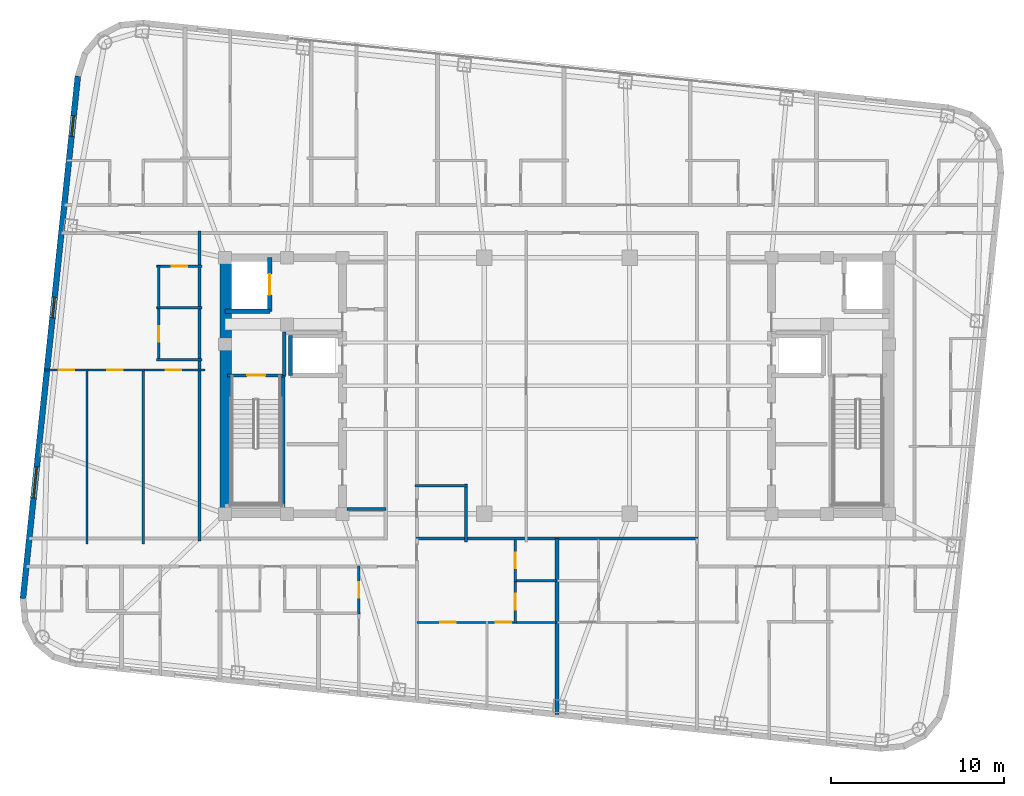
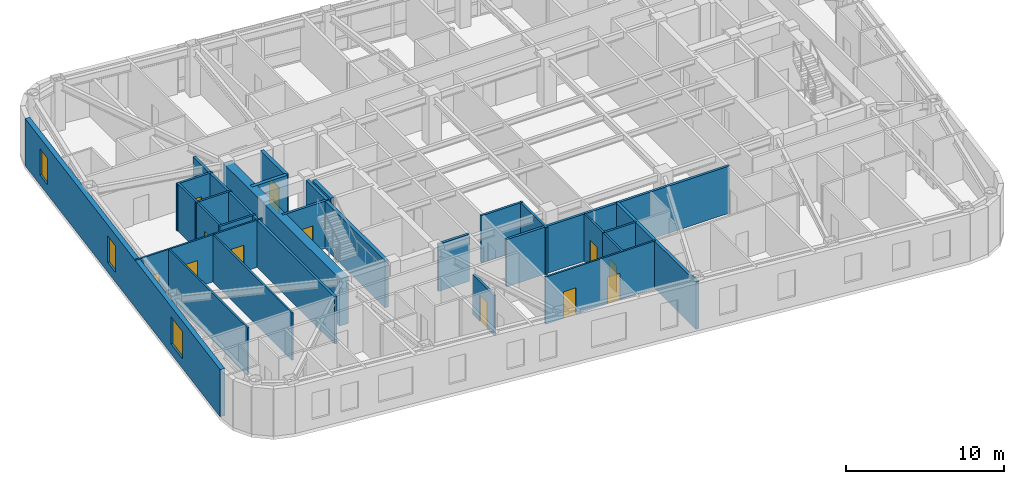
# One storey, part 9 of 15: 29 walls, 12 doors, 3 windows, 15 openings.
"""IFC4 building model written with IfcOpenShell, lengths in metres."""

from ifc_helpers import new_model, si_unit, direction, frame, frame_2d, origin, place, context, subcontext, project, spatial, rectangle, extrude, material, layer, layer_set, type_object, element, fill, save


model = new_model("IFC4")

# Units and contexts
model_context = context("Model", 3, precision=1e-05, world=origin(), true_north=direction((0.0, 1.0)))
body_context = subcontext(model_context, "Body", "Model", "MODEL_VIEW")
ifc_project = project(units=[si_unit("LENGTHUNIT", "METRE"), si_unit("AREAUNIT", "SQUARE_METRE"), si_unit("VOLUMEUNIT", "CUBIC_METRE"), si_unit("PLANEANGLEUNIT", "RADIAN"), si_unit("MASSUNIT", "GRAM", prefix="KILO")], contexts=[model_context])

# Site, building, storey
site_placement = place(None, origin())
site = spatial("IfcSite", under=ifc_project, at=site_placement, CompositionType="ELEMENT")
building_placement = place(site_placement, origin())
building = spatial("IfcBuilding", under=site, at=building_placement, Name="Voryun Gate Residences", CompositionType="ELEMENT")
storey_placement = place(building_placement, frame((0.0, 0.0, 263.89990234375)))
storey = spatial("IfcBuildingStorey", under=building, at=storey_placement, Name="L65", CompositionType="ELEMENT", Elevation=263.89990234375)

# Wall
ifc_material_1 = material(Name="Concrete C60/75", Category="concrete")
ifc_layer_1 = layer(ifc_material_1, 0.64990234375, Name="CW_CORE_650")
ifc_layer_set_1 = layer_set([ifc_layer_1], Name="Concrete C60/75")
wall_type_1 = type_object("IfcWallType", Name="CW_CORE_650", PredefinedType="SHEAR", material=ifc_layer_set_1)
wall_1_placement = place(storey_placement, frame((-19.14501953125, -7.39990234375, 0.0), z_axis=(0.0, 0.0, 1.0), x_axis=(0.0, 1.0, 0.0)))
element("IfcWall", 1, at=wall_1_placement, inside=storey, type_object=wall_type_1, Name="L65 Core shear wall CW-L65-WW", PredefinedType="SHEAR", context=body_context, shape_type="SweptSolid", body=[
    extrude(rectangle(XDim=14.7998046875, YDim=0.64990234375, at=frame_2d((7.39990234375, 0.0))), origin(), (0.0, 0.0, 1.0), 3.650146484375),
])

# Wall, opening, door
ifc_material_2 = material(Name="Gypsum acoustic fireboard")
ifc_layer_2 = layer(ifc_material_2, 0.179931640625, Name="W_CORR_RATED_180")
ifc_layer_set_2 = layer_set([ifc_layer_2], Name="Gypsum acoustic fireboard")
wall_type_2 = type_object("IfcWallType", Name="W_CORR_RATED_180", PredefinedType="PARTITIONING", material=ifc_layer_set_2)
wall_2_placement = place(storey_placement, frame((-19.06005859375, 0.60009765625, 0.0), z_axis=(0.0, 0.0, 1.0), x_axis=(1.0, 0.0, 0.0)))
wall_2 = element("IfcWall", 2, at=wall_2_placement, inside=storey, type_object=wall_type_2, Name="Partition wall WP-L65-STV-W", PredefinedType="PARTITIONING", context=body_context, shape_type="SweptSolid", body=[
    extrude(rectangle(XDim=3.360107421875, YDim=0.179931640625, at=frame_2d((1.68017578125, 0.0))), origin(), (0.0, 0.0, 1.0), 3.650146484375),
])
opening_1_placement = place(wall_2_placement, frame((1.155029296875, 0.0, 0.0)))
opening_1 = element("IfcOpeningElement", 3, at=opening_1_placement, cuts=wall_2, Name="Opening D-FD60-1", PredefinedType="OPENING", context=body_context, shape_type="SweptSolid", body=[
    extrude(rectangle(XDim=1.050048828125, YDim=2.050048828125, at=frame_2d((0.52490234375, 1.02490234375))), frame((0.0, 0.099853515625, 0.0), z_axis=(0.0, -1.0, 0.0), x_axis=(1.0, 0.0, 0.0)), (0.0, 0.0, 1.0), 0.199951171875),
])
ifc_material_3 = material(Name="Painted steel fire door", Category="steel")
door_type_1 = type_object("IfcDoorType", Name="DR_FD60_STAIR_1050", OperationType="NOTDEFINED", PredefinedType="DOOR", material=ifc_material_3)
door_1_placement = place(opening_1_placement, origin())
door_1 = element("IfcDoor", 4, at=door_1_placement, inside=storey, type_object=door_type_1, Name="Door DR-L65-ST-W", OperationType="SINGLE_SWING_LEFT", OverallHeight=2.050048828125, OverallWidth=1.050048828125, PredefinedType="DOOR", context=body_context, shape_type="SweptSolid", body=[
    extrude(rectangle(XDim=1.050048828125, YDim=2.050048828125, at=frame_2d((0.52490234375, 1.02490234375))), frame((0.0, 0.02490234375, 0.0), z_axis=(0.0, -1.0, 0.0), x_axis=(1.0, 0.0, 0.0)), (0.0, 0.0, 1.0), 0.050048828125),
])
fill(opening_1, door_1)

# Walls
wall_3_placement = place(storey_placement, frame((-12.14990234375, -7.1201171875, 0.0), z_axis=(0.0, 0.0, 1.0), x_axis=(1.0, 0.0, 0.0)))
element("IfcWall", 5, at=wall_3_placement, inside=storey, type_object=wall_type_2, Name="Partition wall WP-L65-PLBS-W", PredefinedType="PARTITIONING", context=body_context, shape_type="SweptSolid", body=[
    extrude(rectangle(XDim=2.27001953125, YDim=0.179931640625, at=frame_2d((1.135009765625, 0.0))), origin(), (0.0, 0.0, 1.0), 3.650146484375),
])
wall_4_placement = place(storey_placement, frame((-8.14990234375, -8.840087890625, 0.0), z_axis=(0.0, 0.0, 1.0), x_axis=(1.0, 0.0, 0.0)))
element("IfcWall", 6, at=wall_4_placement, inside=storey, type_object=wall_type_2, Name="Partition wall WP-L65-Z3S", PredefinedType="PARTITIONING", context=body_context, shape_type="SweptSolid", body=[
    extrude(rectangle(XDim=16.2998046875, YDim=0.179931640625, at=frame_2d((8.14990234375, 0.0))), origin(), (0.0, 0.0, 1.0), 3.650146484375),
])
wall_5_placement = place(storey_placement, frame((-20.669921875, -8.9599609375, 0.0), z_axis=(0.0, 0.0, 1.0), x_axis=(0.0, 1.0, 0.0)))
element("IfcWall", 7, at=wall_5_placement, inside=storey, type_object=wall_type_2, Name="Partition wall WP-L65-WCOR", PredefinedType="PARTITIONING", context=body_context, shape_type="SweptSolid", body=[
    extrude(rectangle(XDim=17.919921875, YDim=0.179931640625, at=frame_2d((8.9599609375, 0.0))), origin(), (0.0, 0.0, 1.0), 3.650146484375),
])

# Wall, openings, windows
ifc_material_4 = material(Name="Charcoal terracotta masonry", Category="masonry")
ifc_layer_3 = layer(ifc_material_4, 0.340087890625, Name="W_EXT_TERRACOTTA_340")
ifc_layer_set_3 = layer_set([ifc_layer_3], Name="Charcoal terracotta masonry")
wall_type_3 = type_object("IfcWallType", Name="W_EXT_TERRACOTTA_340", PredefinedType="ELEMENTEDWALL", material=ifc_layer_set_3)
wall_6_placement = place(storey_placement, frame((-30.8701171875, -12.295654296875, 0.0), z_axis=(0.0, 0.0, 1.0), x_axis=(0.104533282919, 0.994521388791, 0.0)))
wall_6 = element("IfcWall", 8, at=wall_6_placement, inside=storey, type_object=wall_type_3, Name="Exterior wall WEXT-L65-06", PredefinedType="ELEMENTEDWALL", context=body_context, shape_type="SweptSolid", body=[
    extrude(rectangle(XDim=30.366455078125, YDim=0.340087890625, at=frame_2d((15.18310546875, 0.0))), origin(), (0.0, 0.0, 1.0), 3.650146484375),
])
opening_2_placement = place(wall_6_placement, frame((5.841552734375, 0.0, 0.75)))
opening_2 = element("IfcOpeningElement", 9, at=opening_2_placement, cuts=wall_6, Name="Opening WN1", PredefinedType="OPENING", context=body_context, shape_type="SweptSolid", body=[
    extrude(rectangle(XDim=1.800048828125, YDim=2.10009765625, at=frame_2d((0.89990234375, 1.050048828125))), frame((0.0, 0.179931640625, 0.0), z_axis=(0.0, -1.0, 0.0), x_axis=(1.0, 0.0, 0.0)), (0.0, 0.0, 1.0), 0.360107421875),
])
opening_3_placement = place(wall_6_placement, frame((26.860595703125, 0.0, 0.75)))
opening_3 = element("IfcOpeningElement", 10, at=opening_3_placement, cuts=wall_6, Name="Opening WN6", PredefinedType="OPENING", context=body_context, shape_type="SweptSolid", body=[
    extrude(rectangle(XDim=1.199951171875, YDim=2.050048828125, at=frame_2d((0.60009765625, 1.02490234375))), frame((0.0, 0.179931640625, 0.0), z_axis=(0.0, -1.0, 0.0), x_axis=(1.0, 0.0, 0.0)), (0.0, 0.0, 1.0), 0.360107421875),
])
opening_4_placement = place(wall_6_placement, frame((16.310546875, 0.0, 0.75)))
opening_4 = element("IfcOpeningElement", 11, at=opening_4_placement, cuts=wall_6, Name="Opening WN6", PredefinedType="OPENING", context=body_context, shape_type="SweptSolid", body=[
    extrude(rectangle(XDim=1.199951171875, YDim=2.050048828125, at=frame_2d((0.60009765625, 1.02490234375))), frame((0.0, 0.179931640625, 0.0), z_axis=(0.0, -1.0, 0.0), x_axis=(1.0, 0.0, 0.0)), (0.0, 0.0, 1.0), 0.360107421875),
])
ifc_material_5 = material(Name="Laminated low-E glass", Category="glass")
window_type_1 = type_object("IfcWindowType", Name="WN_POD_SLOT_1200", PartitioningType="SINGLE_PANEL", PredefinedType="WINDOW", material=ifc_material_5)
window_1_placement = place(opening_3_placement, origin())
window_1 = element("IfcWindow", 12, at=window_1_placement, inside=storey, type_object=window_type_1, Name="Window WN-L65-DWFIX-01", OverallHeight=2.050048828125, OverallWidth=1.199951171875, PartitioningType="SINGLE_PANEL", PredefinedType="WINDOW", context=body_context, shape_type="SweptSolid", body=[
    extrude(rectangle(XDim=1.199951171875, YDim=2.050048828125, at=frame_2d((0.60009765625, 1.02490234375))), frame((0.0, 0.030029296875, 0.0), z_axis=(0.0, -1.0, 0.0), x_axis=(1.0, 0.0, 0.0)), (0.0, 0.0, 1.0), 0.06005859375),
])
fill(opening_3, window_1)
window_2_placement = place(opening_4_placement, origin())
window_2 = element("IfcWindow", 13, at=window_2_placement, inside=storey, type_object=window_type_1, Name="Window WN-L65-DWFIX-15", OverallHeight=2.050048828125, OverallWidth=1.199951171875, PartitioningType="SINGLE_PANEL", PredefinedType="WINDOW", context=body_context, shape_type="SweptSolid", body=[
    extrude(rectangle(XDim=1.199951171875, YDim=2.050048828125, at=frame_2d((0.60009765625, 1.02490234375))), frame((0.0, 0.030029296875, 0.0), z_axis=(0.0, -1.0, 0.0), x_axis=(1.0, 0.0, 0.0)), (0.0, 0.0, 1.0), 0.06005859375),
])
fill(opening_4, window_2)
ifc_material_6 = material(Name="Laminated low-E glass", Category="glass")
window_type_2 = type_object("IfcWindowType", Name="WN_RES_PUNCH_1800", PartitioningType="SINGLE_PANEL", PredefinedType="WINDOW", material=ifc_material_6)
window_3_placement = place(opening_2_placement, origin())
window_3 = element("IfcWindow", 14, at=window_3_placement, inside=storey, type_object=window_type_2, Name="Window WN-WEXT-L65-06-01", OverallHeight=2.10009765625, OverallWidth=1.800048828125, PartitioningType="SINGLE_PANEL", PredefinedType="WINDOW", context=body_context, shape_type="SweptSolid", body=[
    extrude(rectangle(XDim=1.800048828125, YDim=2.10009765625, at=frame_2d((0.89990234375, 1.050048828125))), frame((0.0, 0.030029296875, 0.0), z_axis=(0.0, -1.0, 0.0), x_axis=(1.0, 0.0, 0.0)), (0.0, 0.0, 1.0), 0.06005859375),
])
fill(opening_2, window_3)

# Walls
ifc_material_7 = material(Name="Concrete C40/50", Category="concrete")
ifc_layer_4 = layer(ifc_material_7, 0.199951171875, Name="W_FF_LOBBY_200")
ifc_layer_set_4 = layer_set([ifc_layer_4], Name="Concrete C40/50")
wall_type_4 = type_object("IfcWallType", Name="W_FF_LOBBY_200", PredefinedType="PARTITIONING", material=ifc_layer_set_4)
wall_7_placement = place(storey_placement, frame((-15.760009765625, 0.580078125, 0.0), z_axis=(0.0, 0.0, 1.0), x_axis=(0.0, 1.0, 0.0)))
element("IfcWall", 15, at=wall_7_placement, inside=storey, type_object=wall_type_4, Name="Partition wall WP-L65-FFP0-W", PredefinedType="PARTITIONING", context=body_context, shape_type="SweptSolid", body=[
    extrude(rectangle(XDim=2.52001953125, YDim=0.199951171875, at=frame_2d((1.260009765625, 0.0))), origin(), (0.0, 0.0, 1.0), 3.650146484375),
])
ifc_material_8 = material(Name="Concrete C40/50", Category="concrete")
ifc_layer_5 = layer(ifc_material_8, 0.219970703125, Name="W_PARTY_ACOUSTIC_220")
ifc_layer_set_5 = layer_set([ifc_layer_5], Name="Concrete C40/50")
wall_type_5 = type_object("IfcWallType", Name="W_PARTY_ACOUSTIC_220", PredefinedType="PARTITIONING", material=ifc_layer_set_5)
wall_8_placement = place(storey_placement, frame((0.0, -19.005859375, 0.0), z_axis=(0.0, 0.0, 1.0), x_axis=(0.0, 1.0, 0.0)))
element("IfcWall", 16, at=wall_8_placement, inside=storey, type_object=wall_type_5, Name="Partition wall WP-L65-SZMID", PredefinedType="PARTITIONING", context=body_context, shape_type="SweptSolid", body=[
    extrude(rectangle(XDim=10.165771484375, YDim=0.219970703125, at=frame_2d((5.0830078125, 0.0))), origin(), (0.0, 0.0, 1.0), 3.650146484375),
])
ifc_material_9 = material(Name="Concrete C50/60", Category="concrete")
ifc_layer_6 = layer(ifc_material_9, 0.25, Name="W_SHAFT_RC250")
ifc_layer_set_6 = layer_set([ifc_layer_6], Name="Concrete C50/60")
wall_type_6 = type_object("IfcWallType", Name="W_SHAFT_RC250", PredefinedType="SOLIDWALL", material=ifc_layer_set_6)
wall_9_placement = place(storey_placement, frame((-15.860107421875, -7.0849609375, 0.0), z_axis=(0.0, 0.0, 1.0), x_axis=(0.0, 1.0, 0.0)))
element("IfcWall", 17, at=wall_9_placement, inside=storey, type_object=wall_type_6, Name="L65 Stair shaft structural wall W-STR", PredefinedType="SOLIDWALL", context=body_context, shape_type="SweptSolid", body=[
    extrude(rectangle(XDim=7.68505859375, YDim=0.25, at=frame_2d((3.842529296875, 0.0))), origin(), (0.0, 0.0, 1.0), 3.650146484375),
])
wall_10_placement = place(storey_placement, frame((-19.199951171875, 4.300048828125, 0.0), z_axis=(0.0, 0.0, 1.0), x_axis=(1.0, 0.0, 0.0)))
element("IfcWall", 18, at=wall_10_placement, inside=storey, type_object=wall_type_6, Name="Lift shaft wall WSH-L65-EL-FF-W1-S", PredefinedType="SOLIDWALL", context=body_context, shape_type="SweptSolid", body=[
    extrude(rectangle(XDim=2.599853515625, YDim=0.25, at=frame_2d((1.2998046875, 0.0))), origin(), (0.0, 0.0, 1.0), 3.650146484375),
])

# Wall, opening, door
wall_11_placement = place(storey_placement, frame((-16.60009765625, 4.300048828125, 0.0), z_axis=(0.0, 0.0, 1.0), x_axis=(0.0, 1.0, 0.0)))
wall_11 = element("IfcWall", 19, at=wall_11_placement, inside=storey, type_object=wall_type_6, Name="Lift shaft wall WSH-L65-EL-FF-W1-E", PredefinedType="SOLIDWALL", context=body_context, shape_type="SweptSolid", body=[
    extrude(rectangle(XDim=3.099853515625, YDim=0.25, at=frame_2d((1.5498046875, 0.0))), origin(), (0.0, 0.0, 1.0), 3.650146484375),
])
opening_5_placement = place(wall_11_placement, frame((0.949951171875, 0.0, 0.0)))
opening_5 = element("IfcOpeningElement", 20, at=opening_5_placement, cuts=wall_11, Name="Opening LD1", PredefinedType="OPENING", context=body_context, shape_type="SweptSolid", body=[
    extrude(rectangle(XDim=1.199951171875, YDim=2.050048828125, at=frame_2d((0.60009765625, 1.02490234375))), frame((0.0, 0.135009765625, 0.0), z_axis=(0.0, -1.0, 0.0), x_axis=(1.0, 0.0, 0.0)), (0.0, 0.0, 1.0), 0.27001953125),
])
ifc_material_10 = material(Name="Anodised aluminium", Category="aluminium")
door_type_2 = type_object("IfcDoorType", Name="DR_LD_FF_1200", OperationType="NOTDEFINED", PredefinedType="DOOR", material=ifc_material_10)
door_2_placement = place(opening_5_placement, origin())
door_2 = element("IfcDoor", 21, at=door_2_placement, inside=storey, type_object=door_type_2, Name="Lift EL-FF-W1 sliding landing door L65", OperationType="SLIDING_TO_LEFT", OverallHeight=2.050048828125, OverallWidth=1.199951171875, PredefinedType="DOOR", context=body_context, shape_type="SweptSolid", body=[
    extrude(rectangle(XDim=1.199951171875, YDim=2.050048828125, at=frame_2d((0.60009765625, 1.02490234375))), frame((0.0, 0.02490234375, 0.0), z_axis=(0.0, -1.0, 0.0), x_axis=(1.0, 0.0, 0.0)), (0.0, 0.0, 1.0), 0.050048828125),
])
fill(opening_5, door_2)

# Wall
wall_12_placement = place(storey_placement, frame((-15.39990234375, 2.89990234375, 0.0), z_axis=(0.0, 0.0, 1.0), x_axis=(0.0, -1.0, 0.0)))
element("IfcWall", 22, at=wall_12_placement, inside=storey, type_object=wall_type_6, Name="Lift shaft wall WSH-L65-EL-P7-W", PredefinedType="SOLIDWALL", context=body_context, shape_type="SweptSolid", body=[
    extrude(rectangle(XDim=2.2998046875, YDim=0.25, at=frame_2d((1.14990234375, 0.0))), origin(), (0.0, 0.0, 1.0), 3.650146484375),
])

# Wall, openings, doors
ifc_material_11 = material(Name="Gypsum acoustic partition")
ifc_layer_7 = layer(ifc_material_11, 0.125, Name="W_UNIT_PART_125")
ifc_layer_set_7 = layer_set([ifc_layer_7], Name="Gypsum acoustic partition")
wall_type_7 = type_object("IfcWallType", Name="W_UNIT_PART_125", PredefinedType="PARTITIONING", material=ifc_layer_set_7)
wall_13_placement = place(storey_placement, frame((-8.080078125, -13.679931640625, 0.0), z_axis=(0.0, 0.0, 1.0), x_axis=(1.0, 0.0, 0.0)))
wall_13 = element("IfcWall", 23, at=wall_13_placement, inside=storey, type_object=wall_type_7, Name="Partition wall WP-L65-SC1-HZ", PredefinedType="PARTITIONING", context=body_context, shape_type="SweptSolid", body=[
    extrude(rectangle(XDim=8.06005859375, YDim=0.125, at=frame_2d((4.030029296875, 0.0))), origin(), (0.0, 0.0, 1.0), 3.650146484375),
])
opening_6_placement = place(wall_13_placement, frame((1.3232421875, 0.0, 0.0)))
opening_6 = element("IfcOpeningElement", 24, at=opening_6_placement, cuts=wall_13, Name="Opening D-INT-2", PredefinedType="OPENING", context=body_context, shape_type="SweptSolid", body=[
    extrude(rectangle(XDim=0.89990234375, YDim=2.050048828125, at=frame_2d((0.449951171875, 1.02490234375))), frame((0.0, 0.072509765625, 0.0), z_axis=(0.0, -1.0, 0.0), x_axis=(1.0, 0.0, 0.0)), (0.0, 0.0, 1.0), 0.14501953125),
])
opening_7_placement = place(wall_13_placement, frame((4.547119140625, 0.0, 0.0)))
opening_7 = element("IfcOpeningElement", 25, at=opening_7_placement, cuts=wall_13, Name="Opening D-INT-2", PredefinedType="OPENING", context=body_context, shape_type="SweptSolid", body=[
    extrude(rectangle(XDim=0.89990234375, YDim=2.050048828125, at=frame_2d((0.449951171875, 1.02490234375))), frame((0.0, 0.072509765625, 0.0), z_axis=(0.0, -1.0, 0.0), x_axis=(1.0, 0.0, 0.0)), (0.0, 0.0, 1.0), 0.14501953125),
])
ifc_material_12 = material(Name="Architectural oak veneer")
door_type_3 = type_object("IfcDoorType", Name="DR_INT_BATH_900", OperationType="NOTDEFINED", PredefinedType="DOOR", material=ifc_material_12)
door_3_placement = place(opening_6_placement, origin())
door_3 = element("IfcDoor", 26, at=door_3_placement, inside=storey, type_object=door_type_3, Name="Door DR-L65-SC1-DMB", OperationType="SINGLE_SWING_LEFT", OverallHeight=2.050048828125, OverallWidth=0.89990234375, PredefinedType="DOOR", context=body_context, shape_type="SweptSolid", body=[
    extrude(rectangle(XDim=0.89990234375, YDim=2.050048828125, at=frame_2d((0.449951171875, 1.02490234375))), frame((0.0, 0.02490234375, 0.0), z_axis=(0.0, -1.0, 0.0), x_axis=(1.0, 0.0, 0.0)), (0.0, 0.0, 1.0), 0.050048828125),
])
fill(opening_6, door_3)
door_4_placement = place(opening_7_placement, origin())
door_4 = element("IfcDoor", 27, at=door_4_placement, inside=storey, type_object=door_type_3, Name="Door DR-L65-SC1-DBD2", OperationType="SINGLE_SWING_RIGHT", OverallHeight=2.050048828125, OverallWidth=0.89990234375, PredefinedType="DOOR", context=body_context, shape_type="SweptSolid", body=[
    extrude(rectangle(XDim=0.89990234375, YDim=2.050048828125, at=frame_2d((0.449951171875, 1.02490234375))), frame((0.0, 0.02490234375, 0.0), z_axis=(0.0, -1.0, 0.0), x_axis=(1.0, 0.0, 0.0)), (0.0, 0.0, 1.0), 0.050048828125),
])
fill(opening_7, door_4)

# Wall, opening, door
wall_14_placement = place(storey_placement, frame((-2.409912109375, -11.31005859375, 0.0), z_axis=(0.0, 0.0, 1.0), x_axis=(0.0, 1.0, 0.0)))
wall_14 = element("IfcWall", 28, at=wall_14_placement, inside=storey, type_object=wall_type_7, Name="Partition wall WP-L65-SC1-VK1", PredefinedType="PARTITIONING", context=body_context, shape_type="SweptSolid", body=[
    extrude(rectangle(XDim=2.41015625, YDim=0.125, at=frame_2d((1.205078125, 0.0))), origin(), (0.0, 0.0, 1.0), 3.650146484375),
])
opening_8_placement = place(wall_14_placement, frame((0.7548828125, 0.0, 0.0)))
opening_8 = element("IfcOpeningElement", 29, at=opening_8_placement, cuts=wall_14, Name="Opening D-INT-2", PredefinedType="OPENING", context=body_context, shape_type="SweptSolid", body=[
    extrude(rectangle(XDim=0.89990234375, YDim=2.050048828125, at=frame_2d((0.449951171875, 1.02490234375))), frame((0.0, 0.072509765625, 0.0), z_axis=(0.0, -1.0, 0.0), x_axis=(1.0, 0.0, 0.0)), (0.0, 0.0, 1.0), 0.14501953125),
])
door_5_placement = place(opening_8_placement, origin())
door_5 = element("IfcDoor", 30, at=door_5_placement, inside=storey, type_object=door_type_3, Name="Door DR-L65-SC1-DK", OperationType="SINGLE_SWING_LEFT", OverallHeight=2.050048828125, OverallWidth=0.89990234375, PredefinedType="DOOR", context=body_context, shape_type="SweptSolid", body=[
    extrude(rectangle(XDim=0.89990234375, YDim=2.050048828125, at=frame_2d((0.449951171875, 1.02490234375))), frame((0.0, 0.02490234375, 0.0), z_axis=(0.0, -1.0, 0.0), x_axis=(1.0, 0.0, 0.0)), (0.0, 0.0, 1.0), 0.050048828125),
])
fill(opening_8, door_5)

wall_15_placement = place(storey_placement, frame((-29.633056640625, 0.909912109375, 0.0), z_axis=(0.0, 0.0, 1.0), x_axis=(1.0, 0.0, 0.0)))
wall_15 = element("IfcWall", 31, at=wall_15_placement, inside=storey, type_object=wall_type_7, Name="Partition wall WP-L65-W1-HZMB1", PredefinedType="PARTITIONING", context=body_context, shape_type="SweptSolid", body=[
    extrude(rectangle(XDim=2.528564453125, YDim=0.125, at=frame_2d((1.26416015625, 0.0))), origin(), (0.0, 0.0, 1.0), 3.650146484375),
])
opening_9_placement = place(wall_15_placement, frame((0.822998046875, 0.0, 0.0)))
opening_9 = element("IfcOpeningElement", 32, at=opening_9_placement, cuts=wall_15, Name="Opening D-INT-2", PredefinedType="OPENING", context=body_context, shape_type="SweptSolid", body=[
    extrude(rectangle(XDim=0.89990234375, YDim=2.050048828125, at=frame_2d((0.449951171875, 1.02490234375))), frame((0.0, 0.072509765625, 0.0), z_axis=(0.0, -1.0, 0.0), x_axis=(1.0, 0.0, 0.0)), (0.0, 0.0, 1.0), 0.14501953125),
])
door_6_placement = place(opening_9_placement, origin())
door_6 = element("IfcDoor", 33, at=door_6_placement, inside=storey, type_object=door_type_3, Name="Door DR-L65-W1-DMB", OperationType="SINGLE_SWING_LEFT", OverallHeight=2.050048828125, OverallWidth=0.89990234375, PredefinedType="DOOR", context=body_context, shape_type="SweptSolid", body=[
    extrude(rectangle(XDim=0.89990234375, YDim=2.050048828125, at=frame_2d((0.449951171875, 1.02490234375))), frame((0.0, 0.02490234375, 0.0), z_axis=(0.0, -1.0, 0.0), x_axis=(1.0, 0.0, 0.0)), (0.0, 0.0, 1.0), 0.050048828125),
])
fill(opening_9, door_6)

wall_16_placement = place(storey_placement, frame((-27.2294921875, 0.909912109375, 0.0), z_axis=(0.0, 0.0, 1.0), x_axis=(1.0, 0.0, 0.0)))
wall_16 = element("IfcWall", 34, at=wall_16_placement, inside=storey, type_object=wall_type_7, Name="Partition wall WP-L65-W1-HZMB2", PredefinedType="PARTITIONING", context=body_context, shape_type="SweptSolid", body=[
    extrude(rectangle(XDim=3.3740234375, YDim=0.125, at=frame_2d((1.68701171875, 0.0))), origin(), (0.0, 0.0, 1.0), 3.650146484375),
])
opening_10_placement = place(wall_16_placement, frame((1.237060546875, 0.0, 0.0)))
opening_10 = element("IfcOpeningElement", 35, at=opening_10_placement, cuts=wall_16, Name="Opening D-INT-2", PredefinedType="OPENING", context=body_context, shape_type="SweptSolid", body=[
    extrude(rectangle(XDim=0.89990234375, YDim=2.050048828125, at=frame_2d((0.449951171875, 1.02490234375))), frame((0.0, 0.072509765625, 0.0), z_axis=(0.0, -1.0, 0.0), x_axis=(1.0, 0.0, 0.0)), (0.0, 0.0, 1.0), 0.14501953125),
])
door_7_placement = place(opening_10_placement, origin())
door_7 = element("IfcDoor", 36, at=door_7_placement, inside=storey, type_object=door_type_3, Name="Door DR-L65-W1-DBD2", OperationType="SINGLE_SWING_RIGHT", OverallHeight=2.050048828125, OverallWidth=0.89990234375, PredefinedType="DOOR", context=body_context, shape_type="SweptSolid", body=[
    extrude(rectangle(XDim=0.89990234375, YDim=2.050048828125, at=frame_2d((0.449951171875, 1.02490234375))), frame((0.0, 0.02490234375, 0.0), z_axis=(0.0, -1.0, 0.0), x_axis=(1.0, 0.0, 0.0)), (0.0, 0.0, 1.0), 0.050048828125),
])
fill(opening_10, door_7)

wall_17_placement = place(storey_placement, frame((-23.98046875, 0.909912109375, 0.0), z_axis=(0.0, 0.0, 1.0), x_axis=(1.0, 0.0, 0.0)))
wall_17 = element("IfcWall", 37, at=wall_17_placement, inside=storey, type_object=wall_type_7, Name="Partition wall WP-L65-W1-HZMB3", PredefinedType="PARTITIONING", context=body_context, shape_type="SweptSolid", body=[
    extrude(rectangle(XDim=3.63037109375, YDim=0.125, at=frame_2d((1.815185546875, 0.0))), origin(), (0.0, 0.0, 1.0), 3.650146484375),
])
opening_11_placement = place(wall_17_placement, frame((1.3564453125, 0.0, 0.0)))
opening_11 = element("IfcOpeningElement", 38, at=opening_11_placement, cuts=wall_17, Name="Opening D-INT-2", PredefinedType="OPENING", context=body_context, shape_type="SweptSolid", body=[
    extrude(rectangle(XDim=0.89990234375, YDim=2.050048828125, at=frame_2d((0.449951171875, 1.02490234375))), frame((0.0, 0.072509765625, 0.0), z_axis=(0.0, -1.0, 0.0), x_axis=(1.0, 0.0, 0.0)), (0.0, 0.0, 1.0), 0.14501953125),
])
door_8_placement = place(opening_11_placement, origin())
door_8 = element("IfcDoor", 39, at=door_8_placement, inside=storey, type_object=door_type_3, Name="Door DR-L65-W1-DBD3", OperationType="SINGLE_SWING_LEFT", OverallHeight=2.050048828125, OverallWidth=0.89990234375, PredefinedType="DOOR", context=body_context, shape_type="SweptSolid", body=[
    extrude(rectangle(XDim=0.89990234375, YDim=2.050048828125, at=frame_2d((0.449951171875, 1.02490234375))), frame((0.0, 0.02490234375, 0.0), z_axis=(0.0, -1.0, 0.0), x_axis=(1.0, 0.0, 0.0)), (0.0, 0.0, 1.0), 0.050048828125),
])
fill(opening_11, door_8)

# Walls
for number, where, z_axis, x_axis, name in (
    (40, (-23.91796875, -9.159912109375, 0.0), (0.0, 0.0, 1.0), (0.0, 1.0, 0.0), "Partition wall WP-L65-W1-VMB2"),
    (41, (-27.1669921875, -9.159912109375, 0.0), (0.0, 0.0, 1.0), (0.0, 1.0, 0.0), "Partition wall WP-L65-W1-VMB"),
):
    element("IfcWall", number, at=place(storey_placement, frame(where, z_axis=z_axis, x_axis=x_axis)), inside=storey, type_object=wall_type_7, Name=name, PredefinedType="PARTITIONING", context=body_context, shape_type="SweptSolid", body=[
        extrude(rectangle(XDim=10.1298828125, YDim=0.125, at=frame_2d((5.06494140625, 0.0))), origin(), (0.0, 0.0, 1.0), 3.650146484375),
    ])
ifc_material_13 = material(Name="Gypsum moisture-resistant partition")
ifc_layer_8 = layer(ifc_material_13, 0.14990234375, Name="W_WET_PLUMB_150")
ifc_layer_set_8 = layer_set([ifc_layer_8], Name="Gypsum moisture-resistant partition")
wall_type_8 = type_object("IfcWallType", Name="W_WET_PLUMB_150", PredefinedType="PLUMBINGWALL", material=ifc_layer_set_8)
wall_18_placement = place(storey_placement, frame((-5.260009765625, -9.02001953125, 0.0), z_axis=(0.0, 0.0, 1.0), x_axis=(0.0, 1.0, 0.0)))
element("IfcWall", 42, at=wall_18_placement, inside=storey, type_object=wall_type_8, Name="Partition wall WP-L65-CMWCX", PredefinedType="PLUMBINGWALL", context=body_context, shape_type="SweptSolid", body=[
    extrude(rectangle(XDim=3.35009765625, YDim=0.14990234375, at=frame_2d((1.675048828125, 0.0))), origin(), (0.0, 0.0, 1.0), 3.650146484375),
])
wall_19_placement = place(storey_placement, frame((-8.2099609375, -5.77001953125, 0.0), z_axis=(0.0, 0.0, 1.0), x_axis=(1.0, 0.0, 0.0)))
element("IfcWall", 43, at=wall_19_placement, inside=storey, type_object=wall_type_8, Name="Partition wall WP-L65-CMWCY", PredefinedType="PLUMBINGWALL", context=body_context, shape_type="SweptSolid", body=[
    extrude(rectangle(XDim=3.050048828125, YDim=0.14990234375, at=frame_2d((1.52490234375, 0.0))), origin(), (0.0, 0.0, 1.0), 3.650146484375),
])

# Wall, opening, door
wall_20_placement = place(storey_placement, frame((-11.447998046875, -13.18994140625, 0.0), z_axis=(0.0, 0.0, 1.0), x_axis=(0.0, 1.0, 0.0)))
wall_20 = element("IfcWall", 44, at=wall_20_placement, inside=storey, type_object=wall_type_8, Name="Partition wall WP-L65-S4-SVT2", PredefinedType="PLUMBINGWALL", context=body_context, shape_type="SweptSolid", body=[
    extrude(rectangle(XDim=2.760009765625, YDim=0.14990234375, at=frame_2d((1.3798828125, 0.0))), origin(), (0.0, 0.0, 1.0), 3.090087890625),
])
opening_12_placement = place(wall_20_placement, frame((0.929931640625, 0.0, 0.0)))
opening_12 = element("IfcOpeningElement", 45, at=opening_12_placement, cuts=wall_20, Name="Opening D-INT-2", PredefinedType="OPENING", context=body_context, shape_type="SweptSolid", body=[
    extrude(rectangle(XDim=0.89990234375, YDim=2.050048828125, at=frame_2d((0.449951171875, 1.02490234375))), frame((0.0, 0.0849609375, 0.0), z_axis=(0.0, -1.0, 0.0), x_axis=(1.0, 0.0, 0.0)), (0.0, 0.0, 1.0), 0.169921875),
])
door_9_placement = place(opening_12_placement, origin())
door_9 = element("IfcDoor", 46, at=door_9_placement, inside=storey, type_object=door_type_3, Name="Door DR-L65-S4-DB", OperationType="SINGLE_SWING_RIGHT", OverallHeight=2.050048828125, OverallWidth=0.89990234375, PredefinedType="DOOR", context=body_context, shape_type="SweptSolid", body=[
    extrude(rectangle(XDim=0.89990234375, YDim=2.050048828125, at=frame_2d((0.449951171875, 1.02490234375))), frame((0.0, 0.02490234375, 0.0), z_axis=(0.0, -1.0, 0.0), x_axis=(1.0, 0.0, 0.0)), (0.0, 0.0, 1.0), 0.050048828125),
])
fill(opening_12, door_9)

wall_21_placement = place(storey_placement, frame((-2.409912109375, -13.719970703125, 0.0), z_axis=(0.0, 0.0, 1.0), x_axis=(0.0, 1.0, 0.0)))
wall_21 = element("IfcWall", 47, at=wall_21_placement, inside=storey, type_object=wall_type_8, Name="Partition wall WP-L65-SC1-VK2", PredefinedType="PLUMBINGWALL", context=body_context, shape_type="SweptSolid", body=[
    extrude(rectangle(XDim=2.469970703125, YDim=0.14990234375, at=frame_2d((1.23486328125, 0.0))), origin(), (0.0, 0.0, 1.0), 3.650146484375),
])
opening_13_placement = place(wall_21_placement, frame((0.784912109375, 0.0, 0.0)))
opening_13 = element("IfcOpeningElement", 48, at=opening_13_placement, cuts=wall_21, Name="Opening D-INT-2", PredefinedType="OPENING", context=body_context, shape_type="SweptSolid", body=[
    extrude(rectangle(XDim=0.89990234375, YDim=2.050048828125, at=frame_2d((0.449951171875, 1.02490234375))), frame((0.0, 0.0849609375, 0.0), z_axis=(0.0, -1.0, 0.0), x_axis=(1.0, 0.0, 0.0)), (0.0, 0.0, 1.0), 0.169921875),
])
door_10_placement = place(opening_13_placement, origin())
door_10 = element("IfcDoor", 49, at=door_10_placement, inside=storey, type_object=door_type_3, Name="Door DR-L65-SC1-DB", OperationType="SINGLE_SWING_RIGHT", OverallHeight=2.050048828125, OverallWidth=0.89990234375, PredefinedType="DOOR", context=body_context, shape_type="SweptSolid", body=[
    extrude(rectangle(XDim=0.89990234375, YDim=2.050048828125, at=frame_2d((0.449951171875, 1.02490234375))), frame((0.0, 0.02490234375, 0.0), z_axis=(0.0, -1.0, 0.0), x_axis=(1.0, 0.0, 0.0)), (0.0, 0.0, 1.0), 0.050048828125),
])
fill(opening_13, door_10)

# Wall
wall_22_placement = place(storey_placement, frame((-2.449951171875, -11.280029296875, 0.0), z_axis=(0.0, 0.0, 1.0), x_axis=(1.0, 0.0, 0.0)))
element("IfcWall", 50, at=wall_22_placement, inside=storey, type_object=wall_type_8, Name="Partition wall WP-L65-SC1-HKB", PredefinedType="PLUMBINGWALL", context=body_context, shape_type="SweptSolid", body=[
    extrude(rectangle(XDim=2.429931640625, YDim=0.14990234375, at=frame_2d((1.21484375, 0.0))), origin(), (0.0, 0.0, 1.0), 3.650146484375),
])

# Wall, opening, door
wall_23_placement = place(storey_placement, frame((-23.139892578125, 6.89990234375, 0.0), z_axis=(0.0, 0.0, 1.0), x_axis=(1.0, 0.0, 0.0)))
wall_23 = element("IfcWall", 51, at=wall_23_placement, inside=storey, type_object=wall_type_8, Name="Partition wall WP-L65-W1-IBT", PredefinedType="PLUMBINGWALL", context=body_context, shape_type="SweptSolid", body=[
    extrude(rectangle(XDim=2.619873046875, YDim=0.14990234375, at=frame_2d((1.31005859375, 0.0))), origin(), (0.0, 0.0, 1.0), 3.650146484375),
])
opening_14_placement = place(wall_23_placement, frame((0.860107421875, 0.0, 0.0)))
opening_14 = element("IfcOpeningElement", 52, at=opening_14_placement, cuts=wall_23, Name="Opening D-INT-2", PredefinedType="OPENING", context=body_context, shape_type="SweptSolid", body=[
    extrude(rectangle(XDim=0.89990234375, YDim=2.050048828125, at=frame_2d((0.449951171875, 1.02490234375))), frame((0.0, 0.0849609375, 0.0), z_axis=(0.0, -1.0, 0.0), x_axis=(1.0, 0.0, 0.0)), (0.0, 0.0, 1.0), 0.169921875),
])
door_11_placement = place(opening_14_placement, origin())
door_11 = element("IfcDoor", 53, at=door_11_placement, inside=storey, type_object=door_type_3, Name="Door DR-L65-W1-DK", OperationType="SINGLE_SWING_LEFT", OverallHeight=2.050048828125, OverallWidth=0.89990234375, PredefinedType="DOOR", context=body_context, shape_type="SweptSolid", body=[
    extrude(rectangle(XDim=0.89990234375, YDim=2.050048828125, at=frame_2d((0.449951171875, 1.02490234375))), frame((0.0, 0.02490234375, 0.0), z_axis=(0.0, -1.0, 0.0), x_axis=(1.0, 0.0, 0.0)), (0.0, 0.0, 1.0), 0.050048828125),
])
fill(opening_14, door_11)

# Walls
for number, where, z_axis, x_axis, name in (
    (54, (-23.139892578125, 4.52001953125, 0.0), (0.0, 0.0, 1.0), (1.0, 0.0, 0.0), "Partition wall WP-L65-W1-IKB"),
    (55, (-23.139892578125, 1.5, 0.0), (0.0, 0.0, 1.0), (1.0, 0.0, 0.0), "Partition wall WP-L65-W1-IBB"),
):
    element("IfcWall", number, at=place(storey_placement, frame(where, z_axis=z_axis, x_axis=x_axis)), inside=storey, type_object=wall_type_8, Name=name, PredefinedType="PLUMBINGWALL", context=body_context, shape_type="SweptSolid", body=[
        extrude(rectangle(XDim=2.619873046875, YDim=0.14990234375, at=frame_2d((1.31005859375, 0.0))), origin(), (0.0, 0.0, 1.0), 3.650146484375),
    ])

# Wall, opening, door
wall_24_placement = place(storey_placement, frame((-23.02001953125, 1.43994140625, 0.0), z_axis=(0.0, 0.0, 1.0), x_axis=(0.0, 1.0, 0.0)))
wall_24 = element("IfcWall", 56, at=wall_24_placement, inside=storey, type_object=wall_type_8, Name="Partition wall WP-L65-W1-VTSK1", PredefinedType="PLUMBINGWALL", context=body_context, shape_type="SweptSolid", body=[
    extrude(rectangle(XDim=3.1201171875, YDim=0.14990234375, at=frame_2d((1.56005859375, 0.0))), origin(), (0.0, 0.0, 1.0), 3.650146484375),
])
opening_15_placement = place(wall_24_placement, frame((1.110107421875, 0.0, 0.0)))
opening_15 = element("IfcOpeningElement", 57, at=opening_15_placement, cuts=wall_24, Name="Opening D-INT-2", PredefinedType="OPENING", context=body_context, shape_type="SweptSolid", body=[
    extrude(rectangle(XDim=0.89990234375, YDim=2.050048828125, at=frame_2d((0.449951171875, 1.02490234375))), frame((0.0, 0.0849609375, 0.0), z_axis=(0.0, -1.0, 0.0), x_axis=(1.0, 0.0, 0.0)), (0.0, 0.0, 1.0), 0.169921875),
])
door_12_placement = place(opening_15_placement, origin())
door_12 = element("IfcDoor", 58, at=door_12_placement, inside=storey, type_object=door_type_3, Name="Door DR-L65-W1-DB", OperationType="SINGLE_SWING_RIGHT", OverallHeight=2.050048828125, OverallWidth=0.89990234375, PredefinedType="DOOR", context=body_context, shape_type="SweptSolid", body=[
    extrude(rectangle(XDim=0.89990234375, YDim=2.050048828125, at=frame_2d((0.449951171875, 1.02490234375))), frame((0.0, 0.02490234375, 0.0), z_axis=(0.0, -1.0, 0.0), x_axis=(1.0, 0.0, 0.0)), (0.0, 0.0, 1.0), 0.050048828125),
])
fill(opening_15, door_12)

# Wall
wall_25_placement = place(storey_placement, frame((-23.02001953125, 4.47998046875, 0.0), z_axis=(0.0, 0.0, 1.0), x_axis=(0.0, 1.0, 0.0)))
element("IfcWall", 59, at=wall_25_placement, inside=storey, type_object=wall_type_8, Name="Partition wall WP-L65-W1-VTSK2", PredefinedType="PLUMBINGWALL", context=body_context, shape_type="SweptSolid", body=[
    extrude(rectangle(XDim=2.47998046875, YDim=0.14990234375, at=frame_2d((1.239990234375, 0.0))), origin(), (0.0, 0.0, 1.0), 3.650146484375),
])

save(model, "model.ifc")
